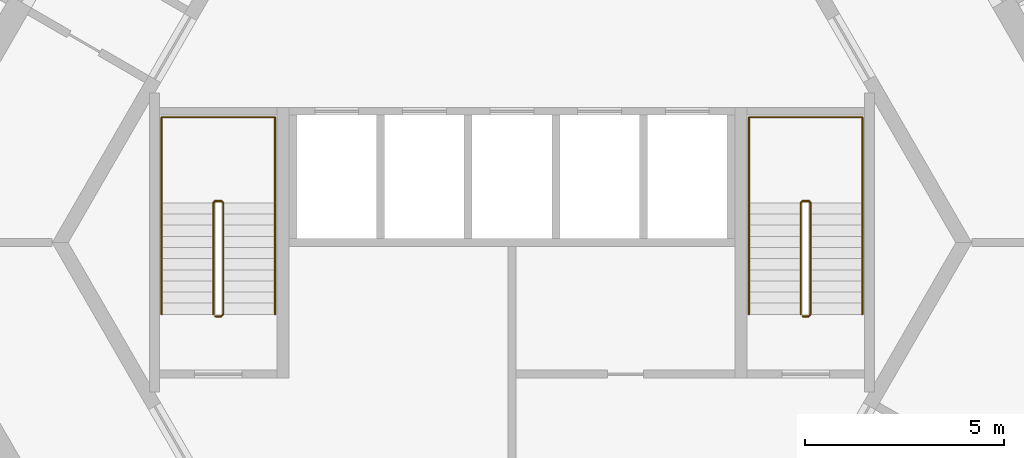
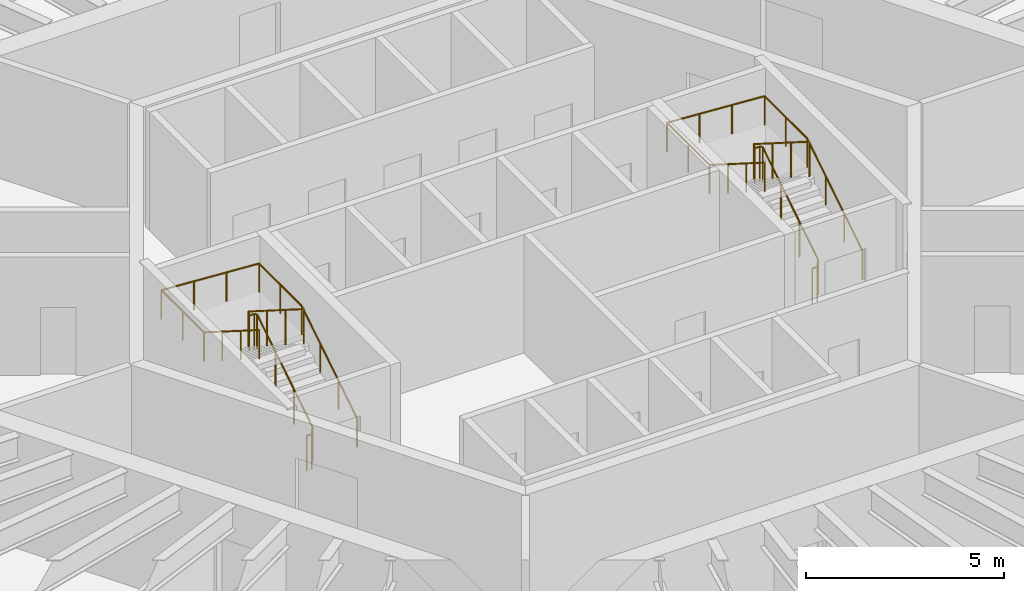
# One storey, part 12 of 12: 4 railings.
"""IFC4 building model written with IfcOpenShell, lengths in metres."""

import ifcopenshell
import ifcopenshell.guid

model = None  # the IFC model being written
_history = None  # IfcOwnerHistory: only IFC2X3 demands one
_inside = {}  # id of a spatial element -> (the spatial element, [elements in it])
_under = {}  # id of a project, library or spatial element -> (it, [spatial elements below it])
_declared = {}  # id of a project -> (the project, [libraries it declares])
_typed = {}  # id of a type object -> (the type object, [elements of that type])
_made_of = {}  # id of a material, layer set ... -> (it, [elements and type objects made of it])


def new_model(schema):
    """Start an empty IFC model of exactly this schema.

    Asked for "IFC4X3", IfcOpenShell would pick the latest addendum, in which some entities
    have other attributes; the version numbers below select the first issue.
    IFC2X3 requires an IfcOwnerHistory on every rooted entity: one is made here for all.
    """
    global model, _history
    if schema == "IFC4X3":
        model = ifcopenshell.file(schema_version=(4, 3, 0, 0))
    else:
        model = ifcopenshell.file(schema=schema)
    _inside.clear()
    _under.clear()
    _declared.clear()
    _typed.clear()
    _made_of.clear()
    _history = None
    if model.schema == "IFC2X3":
        org = make("IfcOrganization", Name="unknown")
        user = make(
            "IfcPersonAndOrganization",
            ThePerson=make("IfcPerson", FamilyName="unknown"),
            TheOrganization=org,
        )
        app = make(
            "IfcApplication",
            ApplicationDeveloper=org,
            Version="unknown",
            ApplicationFullName="unknown",
            ApplicationIdentifier="unknown",
        )
        _history = make(
            "IfcOwnerHistory",
            OwningUser=user,
            OwningApplication=app,
            ChangeAction="ADDED",
            CreationDate=0,
        )
    return model


def make(cls, **values):
    """One entity of the class cls with the attributes given. An attribute that is None is left unset."""
    return model.create_entity(
        cls, **{name: value for name, value in values.items() if value is not None}
    )


def rooted(cls, **values):
    """An entity with a GlobalId (a new one), such as an element, a storey or a relation."""
    return make(cls, GlobalId=ifcopenshell.guid.new(), OwnerHistory=_history, **values)


def si_unit(unit_type, name, prefix=None):
    """IfcSIUnit, for example si_unit("LENGTHUNIT", "METRE", prefix="MILLI")."""
    return make("IfcSIUnit", UnitType=unit_type, Prefix=prefix, Name=name)


def assignment(units):
    """IfcUnitAssignment: the units of a project."""
    return None if units is None else make("IfcUnitAssignment", Units=units)


def point(xyz):
    """IfcCartesianPoint."""
    return None if xyz is None else make("IfcCartesianPoint", Coordinates=xyz)


def direction(xyz):
    """IfcDirection."""
    return None if xyz is None else make("IfcDirection", DirectionRatios=xyz)


def frame(location, z_axis=None, x_axis=None):
    """IfcAxis2Placement3D, a coordinate frame: its origin and axes. An axis left out is left unset."""
    return make(
        "IfcAxis2Placement3D",
        Location=point(location),
        Axis=direction(z_axis),
        RefDirection=direction(x_axis),
    )


def frame_2d(location, x_axis=None):
    """IfcAxis2Placement2D, a coordinate frame in the plane: its origin and x axis."""
    return make(
        "IfcAxis2Placement2D", Location=point(location), RefDirection=direction(x_axis)
    )


def origin():
    """The frame at (0, 0, 0) with its axes left unset."""
    return frame((0.0, 0.0, 0.0))


def origin_2d():
    """The frame at (0, 0) in the plane with its x axis left unset."""
    return frame_2d((0.0, 0.0))


def place(relative_to, where):
    """IfcLocalPlacement: puts the frame where relative to a parent placement (None: the world)."""
    return make(
        "IfcLocalPlacement", PlacementRelTo=relative_to, RelativePlacement=where
    )


def context(
    kind, dimensions, precision=None, world=None, true_north=None, identifier=None
):
    """IfcGeometricRepresentationContext, for example the 3D "Model" context."""
    return make(
        "IfcGeometricRepresentationContext",
        ContextIdentifier=identifier,
        ContextType=kind,
        CoordinateSpaceDimension=dimensions,
        Precision=precision,
        WorldCoordinateSystem=world,
        TrueNorth=true_north,
    )


def subcontext(parent, identifier, kind, view, scale=None):
    """IfcGeometricRepresentationSubContext, for example "Body" below "Model"."""
    return make(
        "IfcGeometricRepresentationSubContext",
        ContextIdentifier=identifier,
        ContextType=kind,
        ParentContext=parent,
        TargetScale=scale,
        TargetView=view,
    )


def project(units=None, contexts=None):
    """IfcProject with its units and contexts."""
    return rooted(
        "IfcProject",
        Name="project",
        RepresentationContexts=contexts,
        UnitsInContext=assignment(units),
    )


def spatial(cls, under=None, at=None, **own):
    """A site, building, storey or space (cls), placed at a placement, below another one or the project."""
    s = rooted(cls, ObjectPlacement=at, **own)
    if under is not None:
        _under.setdefault(under.id(), (under, []))[1].append(s)
    return s


def profile(cls, at=None, kind="AREA", **sizes):
    """A parametric profile (cls). Its sizes go by their IFC names, for example OverallWidth=200.0."""
    return make(cls, ProfileType=kind, Position=at, **sizes)


def circle(**sizes):
    """IfcCircleProfileDef."""
    return profile("IfcCircleProfileDef", **sizes)


def extrude(swept, where, along, depth):
    """IfcExtrudedAreaSolid: the profile swept, set in the frame where, extruded along a direction by depth."""
    return make(
        "IfcExtrudedAreaSolid",
        SweptArea=swept,
        Position=where,
        ExtrudedDirection=direction(along),
        Depth=depth,
    )


def shape(context_of_items, identifier, shape_type, items):
    """IfcShapeRepresentation: the items that make up one representation, for example the "Body"."""
    return make(
        "IfcShapeRepresentation",
        ContextOfItems=context_of_items,
        RepresentationIdentifier=identifier,
        RepresentationType=shape_type,
        Items=items,
    )


def material(Name=None, Category=None):
    """IfcMaterial."""
    return make("IfcMaterial", Name=Name, Category=Category)


def made_of(thing, what):
    """Note that an element or type object is made of a material, layer set ...; save() writes the relation."""
    if what is not None:
        _made_of.setdefault(what.id(), (what, []))[1].append(thing)
    return thing


def type_object(cls, material=None, **own):
    """A type object (cls), such as IfcWallType, which elements share."""
    return made_of(rooted(cls, **own), material)


def element(
    cls,
    number,
    at=None,
    inside=None,
    cuts=None,
    type_object=None,
    material=None,
    context=None,
    identifier="Body",
    shape_type=None,
    held_by="IfcProductDefinitionShape",
    body=None,
    shapes=None,
    **own,
):
    """One element of the class cls, such as IfcWall. Its Tag is "e" and its number.

    at: its placement. inside: the storey or other place that contains it. cuts: it is an
    opening in that element (IfcRelVoidsElement). A single representation is given by context,
    identifier, shape_type and body (its items); several are given by shapes. held_by: the class
    of the entity that holds the representations. save() writes the other relations.
    """
    e = rooted(cls, Tag="e%d" % number, ObjectPlacement=at, **own)
    if body is not None:
        shapes = [shape(context, identifier, shape_type, body)]
    if shapes is not None:
        e.Representation = make(held_by, Representations=shapes)
    if inside is not None:
        _inside.setdefault(inside.id(), (inside, []))[1].append(e)
    if cuts is not None:
        rooted(
            "IfcRelVoidsElement", RelatingBuildingElement=cuts, RelatedOpeningElement=e
        )
    if type_object is not None:
        _typed.setdefault(type_object.id(), (type_object, []))[1].append(e)
    return made_of(e, material)


def aggregate(whole, parts):
    """IfcRelAggregates: a whole, such as a stair, and the parts it consists of."""
    return rooted("IfcRelAggregates", RelatingObject=whole, RelatedObjects=parts)


def save(model, path):
    """Write the relations noted so far, then the file.

    IfcRelAggregates (storeys below a building ...), IfcRelContainedInSpatialStructure (elements
    in a storey), IfcRelDefinesByType, IfcRelAssociatesMaterial and IfcRelDeclares: one each for
    every whole, place, type object, material and project.
    """
    for whole, parts in _under.values():
        aggregate(whole, parts)
    for where, things in _inside.values():
        rooted(
            "IfcRelContainedInSpatialStructure",
            RelatedElements=things,
            RelatingStructure=where,
        )
    for kind, things in _typed.values():
        rooted("IfcRelDefinesByType", RelatedObjects=things, RelatingType=kind)
    for what, things in _made_of.values():
        rooted("IfcRelAssociatesMaterial", RelatedObjects=things, RelatingMaterial=what)
    for by, libraries in _declared.values():
        rooted("IfcRelDeclares", RelatingContext=by, RelatedDefinitions=libraries)
    model.write(path)


model = new_model("IFC4")

# Units and contexts
model_context = context("Model", 3, precision=1e-05, world=origin(), true_north=direction((0.0, 1.0)))
body_context = subcontext(model_context, "Body", "Model", "MODEL_VIEW")
ifc_project = project(units=[si_unit("LENGTHUNIT", "METRE"), si_unit("AREAUNIT", "SQUARE_METRE"), si_unit("VOLUMEUNIT", "CUBIC_METRE"), si_unit("PLANEANGLEUNIT", "RADIAN"), si_unit("MASSUNIT", "GRAM", prefix="KILO")], contexts=[model_context])

# Site, building, storey
site_placement = place(None, origin())
site = spatial("IfcSite", under=ifc_project, at=site_placement, CompositionType="ELEMENT")
building_placement = place(site_placement, origin())
building = spatial("IfcBuilding", under=site, at=building_placement, Name="Tarnside Tower", CompositionType="ELEMENT")
storey_placement = place(building_placement, frame((0.0, 0.0, 142.800048828125)))
storey = spatial("IfcBuildingStorey", under=building, at=storey_placement, Name="L33", CompositionType="ELEMENT", Elevation=142.800048828125)

# Railings
ifc_material = material(Name="Stainless steel", Category="steel")
railing_type_1 = type_object("IfcRailingType", Name="Stair guard 1100", PredefinedType="GUARDRAIL", material=ifc_material)
railing_1_placement = place(storey_placement, frame((7.300048828125, -1.85009765625, 0.0)))
element("IfcRailing", 1, at=railing_1_placement, inside=storey, type_object=railing_type_1, Name="L33 ST1 stair guard 1", PredefinedType="GUARDRAIL", context=body_context, shape_type="SweptSolid", body=[
    extrude(circle(Radius=0.02392578125, at=origin_2d()), frame((0.0, 0.0, 1.076171875), z_axis=(1.0, 0.0, 0.0), x_axis=(0.0, 1.0, 0.0)), (0.0, 0.0, 1.0), 0.14990234375),
    extrude(circle(Radius=0.02392578125, at=origin_2d()), frame((0.14990234375, 0.0, 1.076171875), z_axis=(0.262233686654, 0.262233686654, 0.928691007369), x_axis=(-0.707106781187, 0.707106781187, 0.0)), (0.0, 0.0, 1.0), 0.19091796875),
    extrude(circle(Radius=0.02392578125, at=origin_2d()), frame((0.199951171875, 0.050048828125, 1.25341796875), z_axis=(0.0, 0.844908973607, 0.534910110503), x_axis=(-1.0, 0.0, 0.0)), (0.0, 0.0, 1.0), 3.31396484375),
    extrude(circle(Radius=0.02392578125, at=origin_2d()), frame((0.199951171875, 2.85009765625, 3.02587890625), z_axis=(-0.707106781187, 0.707106781187, 0.0), x_axis=(-0.707106781187, -0.707106781187, 0.0)), (0.0, 0.0, 1.0), 0.07080078125),
    extrude(circle(Radius=0.02392578125, at=origin_2d()), frame((0.14990234375, 2.900146484375, 3.02587890625), z_axis=(-1.0, 0.0, 0.0), x_axis=(0.0, -1.0, 0.0)), (0.0, 0.0, 1.0), 0.14990234375),
    extrude(circle(Radius=0.02392578125, at=origin_2d()), frame((0.0, 2.900146484375, 3.02587890625), z_axis=(-0.262233686654, -0.262233686654, 0.928691007369), x_axis=(0.707106781187, -0.707106781187, 0.0)), (0.0, 0.0, 1.0), 0.19091796875),
    extrude(circle(Radius=0.02392578125, at=origin_2d()), frame((-0.050048828125, 2.85009765625, 3.203125), z_axis=(0.0, -0.844908973607, 0.534910110503), x_axis=(1.0, 0.0, 0.0)), (0.0, 0.0, 1.0), 3.31396484375),
    extrude(circle(Radius=0.02099609375, at=origin_2d()), origin(), (0.0, 0.0, 1.0), 1.052001953125),
    extrude(circle(Radius=0.02099609375, at=origin_2d()), frame((0.14990234375, 0.0, 0.0)), (0.0, 0.0, 1.0), 1.052001953125),
    extrude(circle(Radius=0.02099609375, at=origin_2d()), frame((0.199951171875, 0.050048828125, 0.17724609375)), (0.0, 0.0, 1.0), 1.052001953125),
    extrude(circle(Radius=0.02099609375, at=origin_2d()), frame((0.199951171875, 0.9833984375, 0.76806640625)), (0.0, 0.0, 1.0), 1.052001953125),
    extrude(circle(Radius=0.02099609375, at=origin_2d()), frame((0.199951171875, 1.916748046875, 1.359130859375)), (0.0, 0.0, 1.0), 1.052001953125),
    extrude(circle(Radius=0.02099609375, at=origin_2d()), frame((0.199951171875, 2.85009765625, 1.949951171875)), (0.0, 0.0, 1.0), 1.052001953125),
    extrude(circle(Radius=0.02099609375, at=origin_2d()), frame((0.14990234375, 2.900146484375, 1.949951171875)), (0.0, 0.0, 1.0), 1.052001953125),
    extrude(circle(Radius=0.02099609375, at=origin_2d()), frame((0.0, 2.900146484375, 1.949951171875)), (0.0, 0.0, 1.0), 1.052001953125),
    extrude(circle(Radius=0.02099609375, at=origin_2d()), frame((-0.050048828125, 2.85009765625, 2.127197265625)), (0.0, 0.0, 1.0), 1.052001953125),
    extrude(circle(Radius=0.02099609375, at=origin_2d()), frame((-0.050048828125, 1.916748046875, 2.718017578125)), (0.0, 0.0, 1.0), 1.052001953125),
    extrude(circle(Radius=0.02099609375, at=origin_2d()), frame((-0.050048828125, 0.9833984375, 3.30908203125)), (0.0, 0.0, 1.0), 1.052001953125),
    extrude(circle(Radius=0.02099609375, at=origin_2d()), frame((-0.050048828125, 0.050048828125, 3.89990234375)), (0.0, 0.0, 1.0), 1.052001953125),
])
railing_2_placement = place(storey_placement, frame((-7.449951171875, -1.85009765625, 0.0)))
element("IfcRailing", 2, at=railing_2_placement, inside=storey, type_object=railing_type_1, Name="L33 ST2 stair guard 1", PredefinedType="GUARDRAIL", context=body_context, shape_type="SweptSolid", body=[
    extrude(circle(Radius=0.02392578125, at=origin_2d()), frame((0.0, 0.0, 1.076171875), z_axis=(1.0, 0.0, 0.0), x_axis=(0.0, 1.0, 0.0)), (0.0, 0.0, 1.0), 0.14990234375),
    extrude(circle(Radius=0.02392578125, at=origin_2d()), frame((0.14990234375, 0.0, 1.076171875), z_axis=(0.262233686654, 0.262233686654, 0.928691007369), x_axis=(-0.707106781187, 0.707106781187, 0.0)), (0.0, 0.0, 1.0), 0.19091796875),
    extrude(circle(Radius=0.02392578125, at=origin_2d()), frame((0.199951171875, 0.050048828125, 1.25341796875), z_axis=(0.0, 0.844908973607, 0.534910110503), x_axis=(-1.0, 0.0, 0.0)), (0.0, 0.0, 1.0), 3.31396484375),
    extrude(circle(Radius=0.02392578125, at=origin_2d()), frame((0.199951171875, 2.85009765625, 3.02587890625), z_axis=(-0.707106781187, 0.707106781187, 0.0), x_axis=(-0.707106781187, -0.707106781187, 0.0)), (0.0, 0.0, 1.0), 0.07080078125),
    extrude(circle(Radius=0.02392578125, at=origin_2d()), frame((0.14990234375, 2.900146484375, 3.02587890625), z_axis=(-1.0, 0.0, 0.0), x_axis=(0.0, -1.0, 0.0)), (0.0, 0.0, 1.0), 0.14990234375),
    extrude(circle(Radius=0.02392578125, at=origin_2d()), frame((0.0, 2.900146484375, 3.02587890625), z_axis=(-0.262233686654, -0.262233686654, 0.928691007369), x_axis=(0.707106781187, -0.707106781187, 0.0)), (0.0, 0.0, 1.0), 0.19091796875),
    extrude(circle(Radius=0.02392578125, at=origin_2d()), frame((-0.050048828125, 2.85009765625, 3.203125), z_axis=(0.0, -0.844908973607, 0.534910110503), x_axis=(1.0, 0.0, 0.0)), (0.0, 0.0, 1.0), 3.31396484375),
    extrude(circle(Radius=0.02099609375, at=origin_2d()), origin(), (0.0, 0.0, 1.0), 1.052001953125),
    extrude(circle(Radius=0.02099609375, at=origin_2d()), frame((0.14990234375, 0.0, 0.0)), (0.0, 0.0, 1.0), 1.052001953125),
    extrude(circle(Radius=0.02099609375, at=origin_2d()), frame((0.199951171875, 0.050048828125, 0.17724609375)), (0.0, 0.0, 1.0), 1.052001953125),
    extrude(circle(Radius=0.02099609375, at=origin_2d()), frame((0.199951171875, 0.9833984375, 0.76806640625)), (0.0, 0.0, 1.0), 1.052001953125),
    extrude(circle(Radius=0.02099609375, at=origin_2d()), frame((0.199951171875, 1.916748046875, 1.359130859375)), (0.0, 0.0, 1.0), 1.052001953125),
    extrude(circle(Radius=0.02099609375, at=origin_2d()), frame((0.199951171875, 2.85009765625, 1.949951171875)), (0.0, 0.0, 1.0), 1.052001953125),
    extrude(circle(Radius=0.02099609375, at=origin_2d()), frame((0.14990234375, 2.900146484375, 1.949951171875)), (0.0, 0.0, 1.0), 1.052001953125),
    extrude(circle(Radius=0.02099609375, at=origin_2d()), frame((0.0, 2.900146484375, 1.949951171875)), (0.0, 0.0, 1.0), 1.052001953125),
    extrude(circle(Radius=0.02099609375, at=origin_2d()), frame((-0.050048828125, 2.85009765625, 2.127197265625)), (0.0, 0.0, 1.0), 1.052001953125),
    extrude(circle(Radius=0.02099609375, at=origin_2d()), frame((-0.050048828125, 1.916748046875, 2.718017578125)), (0.0, 0.0, 1.0), 1.052001953125),
    extrude(circle(Radius=0.02099609375, at=origin_2d()), frame((-0.050048828125, 0.9833984375, 3.30908203125)), (0.0, 0.0, 1.0), 1.052001953125),
    extrude(circle(Radius=0.02099609375, at=origin_2d()), frame((-0.050048828125, 0.050048828125, 3.89990234375)), (0.0, 0.0, 1.0), 1.052001953125),
])
railing_type_2 = type_object("IfcRailingType", Name="Stair handrail 900", PredefinedType="HANDRAIL", material=ifc_material)
railing_3_placement = place(storey_placement, frame((8.800048828125, -1.800048828125, 0.17724609375)))
element("IfcRailing", 3, at=railing_3_placement, inside=storey, type_object=railing_type_2, Name="L33 ST1 stair handrail 1", PredefinedType="HANDRAIL", context=body_context, shape_type="SweptSolid", body=[
    extrude(circle(Radius=0.02392578125, at=origin_2d()), frame((0.0, 0.0, 0.8857421875), z_axis=(0.0, 0.844908973607, 0.534910110503), x_axis=(-1.0, 0.0, 0.0)), (0.0, 0.0, 1.0), 3.31396484375),
    extrude(circle(Radius=0.02392578125, at=origin_2d()), frame((0.0, 2.800048828125, 2.65869140625), z_axis=(0.0, 1.0, 0.0), x_axis=(-1.0, 0.0, 0.0)), (0.0, 0.0, 1.0), 2.14990234375),
    extrude(circle(Radius=0.02392578125, at=origin_2d()), frame((0.0, 4.949951171875, 2.65869140625), z_axis=(-0.998071825391, 0.0, 0.06206956872), x_axis=(0.0, -1.0, 0.0)), (0.0, 0.0, 1.0), 2.855712890625),
    extrude(circle(Radius=0.02392578125, at=origin_2d()), frame((-2.85009765625, 4.949951171875, 2.8359375), z_axis=(0.0, -1.0, 0.0), x_axis=(1.0, 0.0, 0.0)), (0.0, 0.0, 1.0), 2.14990234375),
    extrude(circle(Radius=0.02392578125, at=origin_2d()), frame((-2.85009765625, 2.800048828125, 2.8359375), z_axis=(0.0, -0.844908973607, 0.534910110503), x_axis=(1.0, 0.0, 0.0)), (0.0, 0.0, 1.0), 3.31396484375),
    extrude(circle(Radius=0.02099609375, at=origin_2d()), origin(), (0.0, 0.0, 1.0), 0.86181640625),
    extrude(circle(Radius=0.02099609375, at=origin_2d()), frame((0.0, 0.933349609375, 0.5908203125)), (0.0, 0.0, 1.0), 0.86181640625),
    extrude(circle(Radius=0.02099609375, at=origin_2d()), frame((0.0, 1.86669921875, 1.181884765625)), (0.0, 0.0, 1.0), 0.86181640625),
    extrude(circle(Radius=0.02099609375, at=origin_2d()), frame((0.0, 2.800048828125, 1.772705078125)), (0.0, 0.0, 1.0), 0.86181640625),
    extrude(circle(Radius=0.02099609375, at=origin_2d()), frame((0.0, 3.875, 1.772705078125)), (0.0, 0.0, 1.0), 0.86181640625),
    extrude(circle(Radius=0.02099609375, at=origin_2d()), frame((0.0, 4.949951171875, 1.772705078125)), (0.0, 0.0, 1.0), 0.86181640625),
    extrude(circle(Radius=0.02099609375, at=origin_2d()), frame((-0.949951171875, 4.949951171875, 1.831787109375)), (0.0, 0.0, 1.0), 0.86181640625),
    extrude(circle(Radius=0.02099609375, at=origin_2d()), frame((-1.900146484375, 4.949951171875, 1.890869140625)), (0.0, 0.0, 1.0), 0.86181640625),
    extrude(circle(Radius=0.02099609375, at=origin_2d()), frame((-2.85009765625, 4.949951171875, 1.949951171875)), (0.0, 0.0, 1.0), 0.86181640625),
    extrude(circle(Radius=0.02099609375, at=origin_2d()), frame((-2.85009765625, 3.875, 1.949951171875)), (0.0, 0.0, 1.0), 0.86181640625),
    extrude(circle(Radius=0.02099609375, at=origin_2d()), frame((-2.85009765625, 2.800048828125, 1.949951171875)), (0.0, 0.0, 1.0), 0.86181640625),
    extrude(circle(Radius=0.02099609375, at=origin_2d()), frame((-2.85009765625, 1.86669921875, 2.540771484375)), (0.0, 0.0, 1.0), 0.86181640625),
    extrude(circle(Radius=0.02099609375, at=origin_2d()), frame((-2.85009765625, 0.933349609375, 3.1318359375)), (0.0, 0.0, 1.0), 0.86181640625),
    extrude(circle(Radius=0.02099609375, at=origin_2d()), frame((-2.85009765625, 0.0, 3.72265625)), (0.0, 0.0, 1.0), 0.86181640625),
])
railing_4_placement = place(storey_placement, frame((-5.949951171875, -1.800048828125, 0.17724609375)))
element("IfcRailing", 4, at=railing_4_placement, inside=storey, type_object=railing_type_2, Name="L33 ST2 stair handrail 1", PredefinedType="HANDRAIL", context=body_context, shape_type="SweptSolid", body=[
    extrude(circle(Radius=0.02392578125, at=origin_2d()), frame((0.0, 0.0, 0.8857421875), z_axis=(0.0, 0.844908973607, 0.534910110503), x_axis=(-1.0, 0.0, 0.0)), (0.0, 0.0, 1.0), 3.31396484375),
    extrude(circle(Radius=0.02392578125, at=origin_2d()), frame((0.0, 2.800048828125, 2.65869140625), z_axis=(0.0, 1.0, 0.0), x_axis=(-1.0, 0.0, 0.0)), (0.0, 0.0, 1.0), 2.14990234375),
    extrude(circle(Radius=0.02392578125, at=origin_2d()), frame((0.0, 4.949951171875, 2.65869140625), z_axis=(-0.998071825391, 0.0, 0.06206956872), x_axis=(0.0, -1.0, 0.0)), (0.0, 0.0, 1.0), 2.855712890625),
    extrude(circle(Radius=0.02392578125, at=origin_2d()), frame((-2.85009765625, 4.949951171875, 2.8359375), z_axis=(0.0, -1.0, 0.0), x_axis=(1.0, 0.0, 0.0)), (0.0, 0.0, 1.0), 2.14990234375),
    extrude(circle(Radius=0.02392578125, at=origin_2d()), frame((-2.85009765625, 2.800048828125, 2.8359375), z_axis=(0.0, -0.844908973607, 0.534910110503), x_axis=(1.0, 0.0, 0.0)), (0.0, 0.0, 1.0), 3.31396484375),
    extrude(circle(Radius=0.02099609375, at=origin_2d()), origin(), (0.0, 0.0, 1.0), 0.86181640625),
    extrude(circle(Radius=0.02099609375, at=origin_2d()), frame((0.0, 0.933349609375, 0.5908203125)), (0.0, 0.0, 1.0), 0.86181640625),
    extrude(circle(Radius=0.02099609375, at=origin_2d()), frame((0.0, 1.86669921875, 1.181884765625)), (0.0, 0.0, 1.0), 0.86181640625),
    extrude(circle(Radius=0.02099609375, at=origin_2d()), frame((0.0, 2.800048828125, 1.772705078125)), (0.0, 0.0, 1.0), 0.86181640625),
    extrude(circle(Radius=0.02099609375, at=origin_2d()), frame((0.0, 3.875, 1.772705078125)), (0.0, 0.0, 1.0), 0.86181640625),
    extrude(circle(Radius=0.02099609375, at=origin_2d()), frame((0.0, 4.949951171875, 1.772705078125)), (0.0, 0.0, 1.0), 0.86181640625),
    extrude(circle(Radius=0.02099609375, at=origin_2d()), frame((-0.949951171875, 4.949951171875, 1.831787109375)), (0.0, 0.0, 1.0), 0.86181640625),
    extrude(circle(Radius=0.02099609375, at=origin_2d()), frame((-1.900146484375, 4.949951171875, 1.890869140625)), (0.0, 0.0, 1.0), 0.86181640625),
    extrude(circle(Radius=0.02099609375, at=origin_2d()), frame((-2.85009765625, 4.949951171875, 1.949951171875)), (0.0, 0.0, 1.0), 0.86181640625),
    extrude(circle(Radius=0.02099609375, at=origin_2d()), frame((-2.85009765625, 3.875, 1.949951171875)), (0.0, 0.0, 1.0), 0.86181640625),
    extrude(circle(Radius=0.02099609375, at=origin_2d()), frame((-2.85009765625, 2.800048828125, 1.949951171875)), (0.0, 0.0, 1.0), 0.86181640625),
    extrude(circle(Radius=0.02099609375, at=origin_2d()), frame((-2.85009765625, 1.86669921875, 2.540771484375)), (0.0, 0.0, 1.0), 0.86181640625),
    extrude(circle(Radius=0.02099609375, at=origin_2d()), frame((-2.85009765625, 0.933349609375, 3.1318359375)), (0.0, 0.0, 1.0), 0.86181640625),
    extrude(circle(Radius=0.02099609375, at=origin_2d()), frame((-2.85009765625, 0.0, 3.72265625)), (0.0, 0.0, 1.0), 0.86181640625),
])

save(model, "model.ifc")
